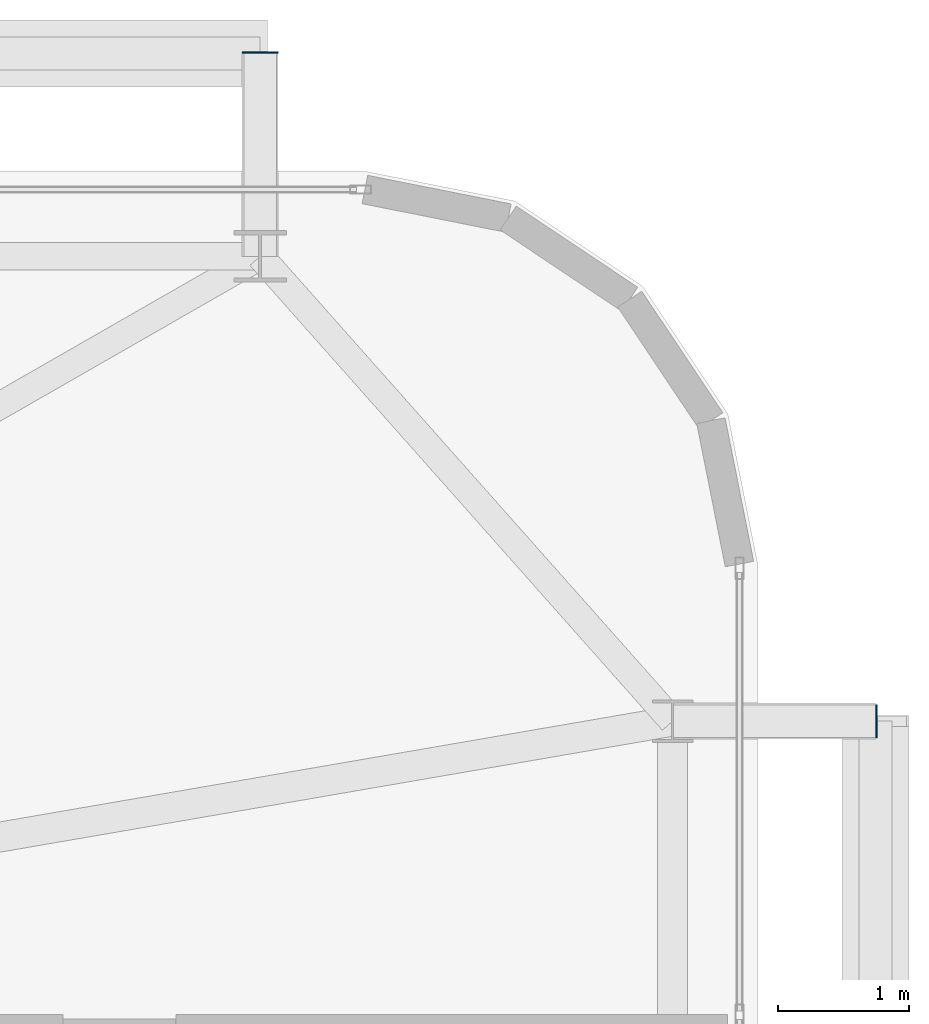
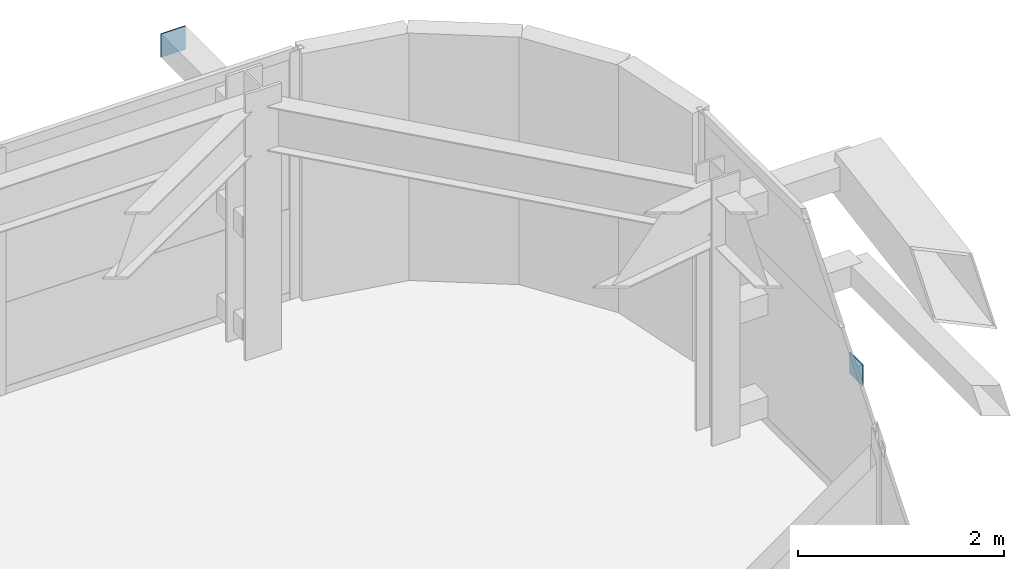
# One storey, part 51 of 58: 2 plates.
"""IFC4 building model written with IfcOpenShell, lengths in metres."""

import ifcopenshell
import ifcopenshell.guid

model = None  # the IFC model being written
_history = None  # IfcOwnerHistory: only IFC2X3 demands one
_inside = {}  # id of a spatial element -> (the spatial element, [elements in it])
_under = {}  # id of a project, library or spatial element -> (it, [spatial elements below it])
_declared = {}  # id of a project -> (the project, [libraries it declares])
_typed = {}  # id of a type object -> (the type object, [elements of that type])
_made_of = {}  # id of a material, layer set ... -> (it, [elements and type objects made of it])


def new_model(schema):
    """Start an empty IFC model of exactly this schema.

    Asked for "IFC4X3", IfcOpenShell would pick the latest addendum, in which some entities
    have other attributes; the version numbers below select the first issue.
    IFC2X3 requires an IfcOwnerHistory on every rooted entity: one is made here for all.
    """
    global model, _history
    if schema == "IFC4X3":
        model = ifcopenshell.file(schema_version=(4, 3, 0, 0))
    else:
        model = ifcopenshell.file(schema=schema)
    _inside.clear()
    _under.clear()
    _declared.clear()
    _typed.clear()
    _made_of.clear()
    _history = None
    if model.schema == "IFC2X3":
        org = make("IfcOrganization", Name="unknown")
        user = make(
            "IfcPersonAndOrganization",
            ThePerson=make("IfcPerson", FamilyName="unknown"),
            TheOrganization=org,
        )
        app = make(
            "IfcApplication",
            ApplicationDeveloper=org,
            Version="unknown",
            ApplicationFullName="unknown",
            ApplicationIdentifier="unknown",
        )
        _history = make(
            "IfcOwnerHistory",
            OwningUser=user,
            OwningApplication=app,
            ChangeAction="ADDED",
            CreationDate=0,
        )
    return model


def make(cls, **values):
    """One entity of the class cls with the attributes given. An attribute that is None is left unset."""
    return model.create_entity(
        cls, **{name: value for name, value in values.items() if value is not None}
    )


def rooted(cls, **values):
    """An entity with a GlobalId (a new one), such as an element, a storey or a relation."""
    return make(cls, GlobalId=ifcopenshell.guid.new(), OwnerHistory=_history, **values)


def si_unit(unit_type, name, prefix=None):
    """IfcSIUnit, for example si_unit("LENGTHUNIT", "METRE", prefix="MILLI")."""
    return make("IfcSIUnit", UnitType=unit_type, Prefix=prefix, Name=name)


def assignment(units):
    """IfcUnitAssignment: the units of a project."""
    return None if units is None else make("IfcUnitAssignment", Units=units)


def point(xyz):
    """IfcCartesianPoint."""
    return None if xyz is None else make("IfcCartesianPoint", Coordinates=xyz)


def direction(xyz):
    """IfcDirection."""
    return None if xyz is None else make("IfcDirection", DirectionRatios=xyz)


def frame(location, z_axis=None, x_axis=None):
    """IfcAxis2Placement3D, a coordinate frame: its origin and axes. An axis left out is left unset."""
    return make(
        "IfcAxis2Placement3D",
        Location=point(location),
        Axis=direction(z_axis),
        RefDirection=direction(x_axis),
    )


def frame_2d(location, x_axis=None):
    """IfcAxis2Placement2D, a coordinate frame in the plane: its origin and x axis."""
    return make(
        "IfcAxis2Placement2D", Location=point(location), RefDirection=direction(x_axis)
    )


def origin():
    """The frame at (0, 0, 0) with its axes left unset."""
    return frame((0.0, 0.0, 0.0))


def origin_2d():
    """The frame at (0, 0) in the plane with its x axis left unset."""
    return frame_2d((0.0, 0.0))


def place(relative_to, where):
    """IfcLocalPlacement: puts the frame where relative to a parent placement (None: the world)."""
    return make(
        "IfcLocalPlacement", PlacementRelTo=relative_to, RelativePlacement=where
    )


def context(
    kind, dimensions, precision=None, world=None, true_north=None, identifier=None
):
    """IfcGeometricRepresentationContext, for example the 3D "Model" context."""
    return make(
        "IfcGeometricRepresentationContext",
        ContextIdentifier=identifier,
        ContextType=kind,
        CoordinateSpaceDimension=dimensions,
        Precision=precision,
        WorldCoordinateSystem=world,
        TrueNorth=true_north,
    )


def subcontext(parent, identifier, kind, view, scale=None):
    """IfcGeometricRepresentationSubContext, for example "Body" below "Model"."""
    return make(
        "IfcGeometricRepresentationSubContext",
        ContextIdentifier=identifier,
        ContextType=kind,
        ParentContext=parent,
        TargetScale=scale,
        TargetView=view,
    )


def project(units=None, contexts=None):
    """IfcProject with its units and contexts."""
    return rooted(
        "IfcProject",
        Name="project",
        RepresentationContexts=contexts,
        UnitsInContext=assignment(units),
    )


def spatial(cls, under=None, at=None, **own):
    """A site, building, storey or space (cls), placed at a placement, below another one or the project."""
    s = rooted(cls, ObjectPlacement=at, **own)
    if under is not None:
        _under.setdefault(under.id(), (under, []))[1].append(s)
    return s


def profile(cls, at=None, kind="AREA", **sizes):
    """A parametric profile (cls). Its sizes go by their IFC names, for example OverallWidth=200.0."""
    return make(cls, ProfileType=kind, Position=at, **sizes)


def rectangle(**sizes):
    """IfcRectangleProfileDef."""
    return profile("IfcRectangleProfileDef", **sizes)


def extrude(swept, where, along, depth):
    """IfcExtrudedAreaSolid: the profile swept, set in the frame where, extruded along a direction by depth."""
    return make(
        "IfcExtrudedAreaSolid",
        SweptArea=swept,
        Position=where,
        ExtrudedDirection=direction(along),
        Depth=depth,
    )


def shape(context_of_items, identifier, shape_type, items):
    """IfcShapeRepresentation: the items that make up one representation, for example the "Body"."""
    return make(
        "IfcShapeRepresentation",
        ContextOfItems=context_of_items,
        RepresentationIdentifier=identifier,
        RepresentationType=shape_type,
        Items=items,
    )


def source(mapping_origin, context_of_items, identifier, shape_type, items):
    """IfcRepresentationMap: a shape defined once, which mapped items show again and again."""
    return make(
        "IfcRepresentationMap",
        MappingOrigin=mapping_origin,
        MappedRepresentation=shape(context_of_items, identifier, shape_type, items),
    )


def transform(
    local_origin,
    x_axis=None,
    y_axis=None,
    z_axis=None,
    scale=None,
    scale2=None,
    scale3=None,
    uniform=True,
):
    """IfcCartesianTransformationOperator3D, or its non-uniform kind. x_axis, y_axis, z_axis: its Axis1, 2, 3."""
    if uniform:
        return make(
            "IfcCartesianTransformationOperator3D",
            Axis1=direction(x_axis),
            Axis2=direction(y_axis),
            LocalOrigin=point(local_origin),
            Scale=scale,
            Axis3=direction(z_axis),
        )
    return make(
        "IfcCartesianTransformationOperator3DnonUniform",
        Axis1=direction(x_axis),
        Axis2=direction(y_axis),
        LocalOrigin=point(local_origin),
        Scale=scale,
        Axis3=direction(z_axis),
        Scale2=scale2,
        Scale3=scale3,
    )


def mapped(mapping_source, mapping_target):
    """IfcMappedItem: shows the shape of a source again, moved by a transform."""
    return make(
        "IfcMappedItem", MappingSource=mapping_source, MappingTarget=mapping_target
    )


def material(Name=None, Category=None):
    """IfcMaterial."""
    return make("IfcMaterial", Name=Name, Category=Category)


def layer(
    of_material, thickness, ventilated=None, Name=None, Category=None, Priority=None
):
    """IfcMaterialLayer: one layer of a wall or slab, of a material (None: an air gap)."""
    return make(
        "IfcMaterialLayer",
        Material=of_material,
        LayerThickness=thickness,
        IsVentilated=ventilated,
        Name=Name,
        Category=Category,
        Priority=Priority,
    )


def layer_set(layers, Name=None):
    """IfcMaterialLayerSet."""
    return make("IfcMaterialLayerSet", MaterialLayers=layers, LayerSetName=Name)


def made_of(thing, what):
    """Note that an element or type object is made of a material, layer set ...; save() writes the relation."""
    if what is not None:
        _made_of.setdefault(what.id(), (what, []))[1].append(thing)
    return thing


def type_object(cls, material=None, **own):
    """A type object (cls), such as IfcWallType, which elements share."""
    return made_of(rooted(cls, **own), material)


def element(
    cls,
    number,
    at=None,
    inside=None,
    cuts=None,
    type_object=None,
    material=None,
    context=None,
    identifier="Body",
    shape_type=None,
    held_by="IfcProductDefinitionShape",
    body=None,
    shapes=None,
    **own,
):
    """One element of the class cls, such as IfcWall. Its Tag is "e" and its number.

    at: its placement. inside: the storey or other place that contains it. cuts: it is an
    opening in that element (IfcRelVoidsElement). A single representation is given by context,
    identifier, shape_type and body (its items); several are given by shapes. held_by: the class
    of the entity that holds the representations. save() writes the other relations.
    """
    e = rooted(cls, Tag="e%d" % number, ObjectPlacement=at, **own)
    if body is not None:
        shapes = [shape(context, identifier, shape_type, body)]
    if shapes is not None:
        e.Representation = make(held_by, Representations=shapes)
    if inside is not None:
        _inside.setdefault(inside.id(), (inside, []))[1].append(e)
    if cuts is not None:
        rooted(
            "IfcRelVoidsElement", RelatingBuildingElement=cuts, RelatedOpeningElement=e
        )
    if type_object is not None:
        _typed.setdefault(type_object.id(), (type_object, []))[1].append(e)
    return made_of(e, material)


def aggregate(whole, parts):
    """IfcRelAggregates: a whole, such as a stair, and the parts it consists of."""
    return rooted("IfcRelAggregates", RelatingObject=whole, RelatedObjects=parts)


def save(model, path):
    """Write the relations noted so far, then the file.

    IfcRelAggregates (storeys below a building ...), IfcRelContainedInSpatialStructure (elements
    in a storey), IfcRelDefinesByType, IfcRelAssociatesMaterial and IfcRelDeclares: one each for
    every whole, place, type object, material and project.
    """
    for whole, parts in _under.values():
        aggregate(whole, parts)
    for where, things in _inside.values():
        rooted(
            "IfcRelContainedInSpatialStructure",
            RelatedElements=things,
            RelatingStructure=where,
        )
    for kind, things in _typed.values():
        rooted("IfcRelDefinesByType", RelatedObjects=things, RelatingType=kind)
    for what, things in _made_of.values():
        rooted("IfcRelAssociatesMaterial", RelatedObjects=things, RelatingMaterial=what)
    for by, libraries in _declared.values():
        rooted("IfcRelDeclares", RelatingContext=by, RelatedDefinitions=libraries)
    model.write(path)


model = new_model("IFC4")

# Units and contexts
model_context = context("Model", 3, precision=1e-05, world=origin(), true_north=direction((0.0, 1.0)))
body_context = subcontext(model_context, "Body", "Model", "MODEL_VIEW")
ifc_project = project(units=[si_unit("LENGTHUNIT", "METRE"), si_unit("AREAUNIT", "SQUARE_METRE"), si_unit("VOLUMEUNIT", "CUBIC_METRE"), si_unit("PLANEANGLEUNIT", "RADIAN"), si_unit("MASSUNIT", "GRAM", prefix="KILO")], contexts=[model_context])

# Site, building, storey
site_placement = place(None, origin())
site = spatial("IfcSite", under=ifc_project, at=site_placement, CompositionType="ELEMENT")
building_placement = place(site_placement, origin())
building = spatial("IfcBuilding", under=site, at=building_placement, Name="Taldren Reach Tower", CompositionType="ELEMENT")
storey_placement = place(building_placement, frame((0.0, 0.0, 51.449951171875)))
storey = spatial("IfcBuildingStorey", under=building, at=storey_placement, Name="L15", CompositionType="ELEMENT", Elevation=51.449951171875)

# Plates
ifc_material_1 = material(Name="Steel Gr 450 (C450L0)", Category="steel")
ifc_layer_1 = layer(ifc_material_1, 0.011962890625)
ifc_layer_set_1 = layer_set([ifc_layer_1], Name="Steel Gr 450 (C450L0)")
plate_type_1 = type_object("IfcPlateType", Name="PL-CAP-275", PredefinedType="SHEET", material=ifc_layer_set_1)
shared_shape_1 = source(origin(), body_context, "Body", "SweptSolid", [
    extrude(rectangle(XDim=0.27490234375, YDim=0.011962890625, at=origin_2d()), origin(), (0.0, 0.0, 1.0), 0.27490234375),
])
plate_1_placement = place(storey_placement, frame((61.199951171875, 39.406005859375, 2.5126953125), z_axis=(0.0, 0.0, 1.0), x_axis=(1.0, 0.0, 0.0)))
element("IfcPlate", 1, at=plate_1_placement, inside=storey, type_object=plate_type_1, Name="Tie strut end cap plate B1-N6 L15", PredefinedType="SHEET", context=body_context, shape_type="MappedRepresentation", body=[
    mapped(shared_shape_1, transform((0.0, 0.0, 0.0), scale=1.0)),
])
ifc_material_2 = material(Name="Steel Gr 350 (C350L0)", Category="steel")
ifc_layer_2 = layer(ifc_material_2, 0.011962890625)
ifc_layer_set_2 = layer_set([ifc_layer_2], Name="Steel Gr 350 (C350L0)")
plate_type_2 = type_object("IfcPlateType", Name="PL-CAP-250", PredefinedType="SHEET", material=ifc_layer_set_2)
shared_shape_2 = source(origin(), body_context, "Body", "SweptSolid", [
    extrude(rectangle(XDim=0.011962890625, YDim=0.25, at=origin_2d()), origin(), (0.0, 0.0, 1.0), 0.25),
])
plate_2_placement = place(storey_placement, frame((65.906005859375, 34.300048828125, 0.094970703125), z_axis=(0.0, 0.0, 1.0), x_axis=(1.0, 0.0, 0.0)))
element("IfcPlate", 2, at=plate_2_placement, inside=storey, type_object=plate_type_2, Name="Tie strut end cap plate B1-E3 L15", PredefinedType="SHEET", context=body_context, shape_type="MappedRepresentation", body=[
    mapped(shared_shape_2, transform((0.0, 0.0, 0.0), scale=1.0)),
])

save(model, "model.ifc")
